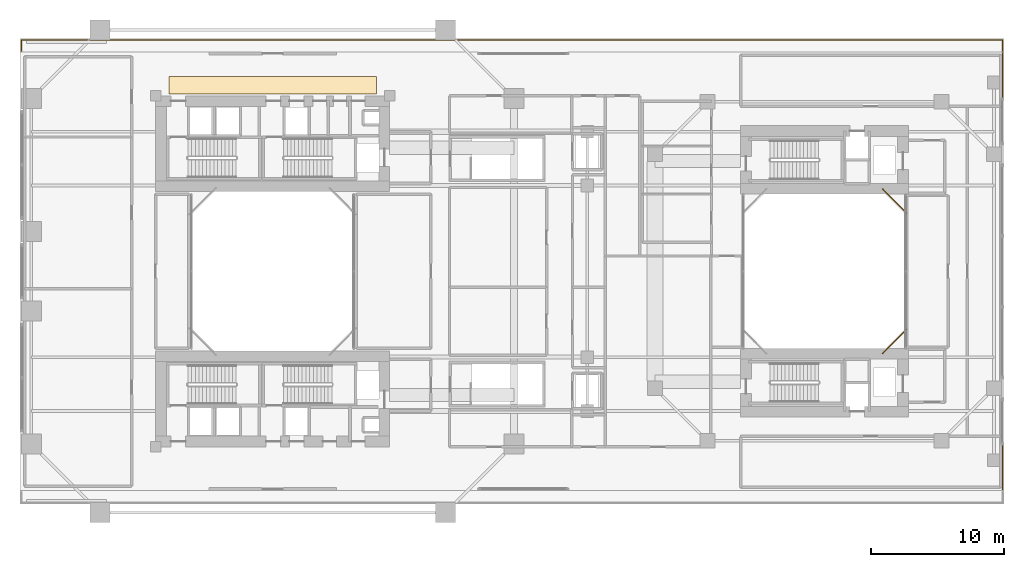
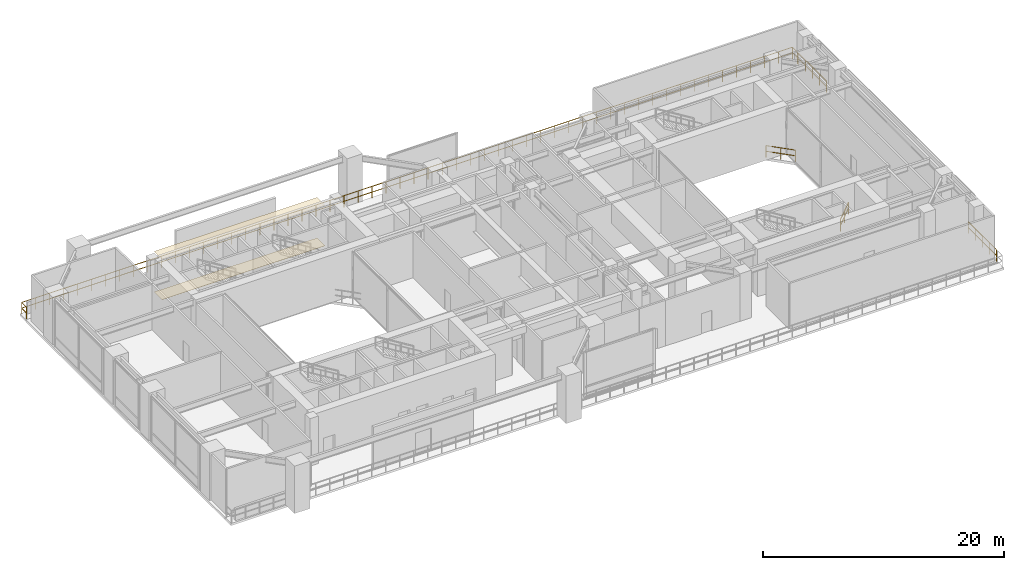
# One storey, part 19 of 19: 5 railings, 2 coverings.
"""IFC4 building model written with IfcOpenShell, lengths in metres."""

from ifc_helpers import new_model, si_unit, direction, frame, origin, origin_2d, place, context, subcontext, project, spatial, polyline, rectangle, outline, extrude, material, layer, layer_set, type_object, element, save


model = new_model("IFC4")

# Units and contexts
model_context = context("Model", 3, precision=1e-05, world=origin(), true_north=direction((0.0, 1.0)))
body_context = subcontext(model_context, "Body", "Model", "MODEL_VIEW")
ifc_project = project(units=[si_unit("LENGTHUNIT", "METRE"), si_unit("AREAUNIT", "SQUARE_METRE"), si_unit("VOLUMEUNIT", "CUBIC_METRE"), si_unit("PLANEANGLEUNIT", "RADIAN"), si_unit("MASSUNIT", "GRAM", prefix="KILO"), si_unit("THERMODYNAMICTEMPERATUREUNIT", "KELVIN"), si_unit("POWERUNIT", "WATT")], contexts=[model_context])

# Site, building, storey
site_placement = place(None, origin())
site = spatial("IfcSite", under=ifc_project, at=site_placement, CompositionType="ELEMENT")
building_placement = place(site_placement, origin())
building = spatial("IfcBuilding", under=site, at=building_placement, Name="Qiaomeng Ring Towers", CompositionType="ELEMENT")
storey_placement = place(building_placement, frame((0.0, 0.0, 18.199951171875)))
storey = spatial("IfcBuildingStorey", under=building, at=storey_placement, Name="L04", CompositionType="ELEMENT", Elevation=18.199951171875)

# Coverings
ifc_material_1 = material(Name="Mineral fibre acoustic ceiling tile", Category="gypsum")
ifc_layer_1 = layer(ifc_material_1, 0.02490234375, Name="Mineral fibre acoustic ceiling tile")
ifc_layer_set_1 = layer_set([ifc_layer_1], Name="Mineral fibre acoustic ceiling tile")
covering_type_1 = type_object("IfcCoveringType", Name="ARC-COV-CEIL1", PredefinedType="CEILING", material=ifc_layer_set_1)
covering_1_placement = place(storey_placement, frame((0.0, 0.0, 4.10009765625)))
element("IfcCovering", 1, at=covering_1_placement, inside=storey, type_object=covering_type_1, Name="L04 Corridor Acoustic Ceiling", PredefinedType="CEILING", context=body_context, shape_type="SweptSolid", body=[
    extrude(outline(polyline([(11.199951171875, 36.35009765625), (11.199951171875, 37.64990234375), (26.800048828125, 37.64990234375), (26.800048828125, 36.35009765625), (11.199951171875, 36.35009765625)])), origin(), (0.0, 0.0, 1.0), 0.02490234375),
])
ifc_material_2 = material(Name="Honed granite stone flooring", Category="masonry")
ifc_layer_2 = layer(ifc_material_2, 0.02392578125, Name="Honed granite stone flooring")
ifc_layer_set_2 = layer_set([ifc_layer_2], Name="Honed granite stone flooring")
covering_type_2 = type_object("IfcCoveringType", Name="ARC-COV-FLR2", PredefinedType="FLOORING", material=ifc_layer_set_2)
covering_2_placement = place(storey_placement, origin())
element("IfcCovering", 2, at=covering_2_placement, inside=storey, type_object=covering_type_2, Name="L04 Corridor Stone Flooring", PredefinedType="FLOORING", context=body_context, shape_type="SweptSolid", body=[
    extrude(outline(polyline([(11.199951171875, 36.35009765625), (11.199951171875, 37.64990234375), (26.800048828125, 37.64990234375), (26.800048828125, 36.35009765625), (11.199951171875, 36.35009765625)])), origin(), (0.0, 0.0, 1.0), 0.02001953125),
])

# Railings
ifc_material_3 = material(Name="Low-E pale-green laminated safety glass", Category="glass")
railing_type = type_object("IfcRailingType", Name="ARC-RL-BAL1", PredefinedType="BALUSTRADE", material=ifc_material_3)
railing_1_placement = place(storey_placement, frame((0.10009765625, 39.580078125, 0.0)))
element("IfcRailing", 3, at=railing_1_placement, inside=storey, type_object=railing_type, Name="L04 Balustrade ARC-BAL-L04-POD-N", PredefinedType="BALUSTRADE", context=body_context, shape_type="SweptSolid", body=[
    extrude(rectangle(XDim=0.048095703125, YDim=0.048095703125, at=origin_2d()), frame((0.0, 0.0, 1.17578125), z_axis=(0.0, 1.0, 0.0), x_axis=(-1.0, 0.0, 0.0)), (0.0, 0.0, 1.0), 0.81982421875),
    extrude(rectangle(XDim=0.048095703125, YDim=0.048095703125, at=origin_2d()), frame((0.0, 0.0, 0.60009765625), z_axis=(0.0, 1.0, 0.0), x_axis=(-1.0, 0.0, 0.0)), (0.0, 0.0, 1.0), 0.81982421875),
    extrude(rectangle(XDim=0.048095703125, YDim=0.048095703125, at=origin_2d()), frame((0.0, 0.81982421875, 1.17578125), z_axis=(1.0, 0.0, 0.0), x_axis=(0.0, 1.0, 0.0)), (0.0, 0.0, 1.0), 73.7998046875),
    extrude(rectangle(XDim=0.048095703125, YDim=0.048095703125, at=origin_2d()), frame((0.0, 0.81982421875, 0.60009765625), z_axis=(1.0, 0.0, 0.0), x_axis=(0.0, 1.0, 0.0)), (0.0, 0.0, 1.0), 73.7998046875),
    extrude(rectangle(XDim=0.048095703125, YDim=0.048095703125, at=origin_2d()), frame((73.7998046875, 0.81982421875, 1.17578125), z_axis=(0.0, -1.0, 0.0), x_axis=(1.0, 0.0, 0.0)), (0.0, 0.0, 1.0), 0.81982421875),
    extrude(rectangle(XDim=0.048095703125, YDim=0.048095703125, at=origin_2d()), frame((73.7998046875, 0.81982421875, 0.60009765625), z_axis=(0.0, -1.0, 0.0), x_axis=(1.0, 0.0, 0.0)), (0.0, 0.0, 1.0), 0.81982421875),
    extrude(rectangle(XDim=0.0419921875, YDim=0.0419921875, at=origin_2d()), origin(), (0.0, 0.0, 1.0), 1.15185546875),
    extrude(rectangle(XDim=0.0419921875, YDim=0.0419921875, at=origin_2d()), frame((0.0, 0.81982421875, 0.0)), (0.0, 0.0, 1.0), 1.15185546875),
    extrude(rectangle(XDim=0.0419921875, YDim=0.0419921875, at=origin_2d()), frame((1.341796875, 0.81982421875, 0.0)), (0.0, 0.0, 1.0), 1.15185546875),
    extrude(rectangle(XDim=0.0419921875, YDim=0.0419921875, at=origin_2d()), frame((2.68359375, 0.81982421875, 0.0)), (0.0, 0.0, 1.0), 1.15185546875),
    extrude(rectangle(XDim=0.0419921875, YDim=0.0419921875, at=origin_2d()), frame((4.025390625, 0.81982421875, 0.0)), (0.0, 0.0, 1.0), 1.15185546875),
    extrude(rectangle(XDim=0.0419921875, YDim=0.0419921875, at=origin_2d()), frame((5.3671875, 0.81982421875, 0.0)), (0.0, 0.0, 1.0), 1.15185546875),
    extrude(rectangle(XDim=0.0419921875, YDim=0.0419921875, at=origin_2d()), frame((6.708984375, 0.81982421875, 0.0)), (0.0, 0.0, 1.0), 1.15185546875),
    extrude(rectangle(XDim=0.0419921875, YDim=0.0419921875, at=origin_2d()), frame((8.05078125, 0.81982421875, 0.0)), (0.0, 0.0, 1.0), 1.15185546875),
    extrude(rectangle(XDim=0.0419921875, YDim=0.0419921875, at=origin_2d()), frame((9.392822265625, 0.81982421875, 0.0)), (0.0, 0.0, 1.0), 1.15185546875),
    extrude(rectangle(XDim=0.0419921875, YDim=0.0419921875, at=origin_2d()), frame((10.734619140625, 0.81982421875, 0.0)), (0.0, 0.0, 1.0), 1.15185546875),
    extrude(rectangle(XDim=0.0419921875, YDim=0.0419921875, at=origin_2d()), frame((12.076416015625, 0.81982421875, 0.0)), (0.0, 0.0, 1.0), 1.15185546875),
    extrude(rectangle(XDim=0.0419921875, YDim=0.0419921875, at=origin_2d()), frame((13.418212890625, 0.81982421875, 0.0)), (0.0, 0.0, 1.0), 1.15185546875),
    extrude(rectangle(XDim=0.0419921875, YDim=0.0419921875, at=origin_2d()), frame((14.760009765625, 0.81982421875, 0.0)), (0.0, 0.0, 1.0), 1.15185546875),
    extrude(rectangle(XDim=0.0419921875, YDim=0.0419921875, at=origin_2d()), frame((16.101806640625, 0.81982421875, 0.0)), (0.0, 0.0, 1.0), 1.15185546875),
    extrude(rectangle(XDim=0.0419921875, YDim=0.0419921875, at=origin_2d()), frame((17.443603515625, 0.81982421875, 0.0)), (0.0, 0.0, 1.0), 1.15185546875),
    extrude(rectangle(XDim=0.0419921875, YDim=0.0419921875, at=origin_2d()), frame((18.785400390625, 0.81982421875, 0.0)), (0.0, 0.0, 1.0), 1.15185546875),
    extrude(rectangle(XDim=0.0419921875, YDim=0.0419921875, at=origin_2d()), frame((20.127197265625, 0.81982421875, 0.0)), (0.0, 0.0, 1.0), 1.15185546875),
    extrude(rectangle(XDim=0.0419921875, YDim=0.0419921875, at=origin_2d()), frame((21.468994140625, 0.81982421875, 0.0)), (0.0, 0.0, 1.0), 1.15185546875),
    extrude(rectangle(XDim=0.0419921875, YDim=0.0419921875, at=origin_2d()), frame((22.810791015625, 0.81982421875, 0.0)), (0.0, 0.0, 1.0), 1.15185546875),
    extrude(rectangle(XDim=0.0419921875, YDim=0.0419921875, at=origin_2d()), frame((24.152587890625, 0.81982421875, 0.0)), (0.0, 0.0, 1.0), 1.15185546875),
    extrude(rectangle(XDim=0.0419921875, YDim=0.0419921875, at=origin_2d()), frame((25.494384765625, 0.81982421875, 0.0)), (0.0, 0.0, 1.0), 1.15185546875),
    extrude(rectangle(XDim=0.0419921875, YDim=0.0419921875, at=origin_2d()), frame((26.836181640625, 0.81982421875, 0.0)), (0.0, 0.0, 1.0), 1.15185546875),
    extrude(rectangle(XDim=0.0419921875, YDim=0.0419921875, at=origin_2d()), frame((28.17822265625, 0.81982421875, 0.0)), (0.0, 0.0, 1.0), 1.15185546875),
    extrude(rectangle(XDim=0.0419921875, YDim=0.0419921875, at=origin_2d()), frame((29.52001953125, 0.81982421875, 0.0)), (0.0, 0.0, 1.0), 1.15185546875),
    extrude(rectangle(XDim=0.0419921875, YDim=0.0419921875, at=origin_2d()), frame((30.86181640625, 0.81982421875, 0.0)), (0.0, 0.0, 1.0), 1.15185546875),
    extrude(rectangle(XDim=0.0419921875, YDim=0.0419921875, at=origin_2d()), frame((32.20361328125, 0.81982421875, 0.0)), (0.0, 0.0, 1.0), 1.15185546875),
    extrude(rectangle(XDim=0.0419921875, YDim=0.0419921875, at=origin_2d()), frame((33.54541015625, 0.81982421875, 0.0)), (0.0, 0.0, 1.0), 1.15185546875),
    extrude(rectangle(XDim=0.0419921875, YDim=0.0419921875, at=origin_2d()), frame((34.88720703125, 0.81982421875, 0.0)), (0.0, 0.0, 1.0), 1.15185546875),
    extrude(rectangle(XDim=0.0419921875, YDim=0.0419921875, at=origin_2d()), frame((36.22900390625, 0.81982421875, 0.0)), (0.0, 0.0, 1.0), 1.15185546875),
    extrude(rectangle(XDim=0.0419921875, YDim=0.0419921875, at=origin_2d()), frame((37.57080078125, 0.81982421875, 0.0)), (0.0, 0.0, 1.0), 1.15185546875),
    extrude(rectangle(XDim=0.0419921875, YDim=0.0419921875, at=origin_2d()), frame((38.91259765625, 0.81982421875, 0.0)), (0.0, 0.0, 1.0), 1.15185546875),
    extrude(rectangle(XDim=0.0419921875, YDim=0.0419921875, at=origin_2d()), frame((40.25439453125, 0.81982421875, 0.0)), (0.0, 0.0, 1.0), 1.15185546875),
    extrude(rectangle(XDim=0.0419921875, YDim=0.0419921875, at=origin_2d()), frame((41.59619140625, 0.81982421875, 0.0)), (0.0, 0.0, 1.0), 1.15185546875),
    extrude(rectangle(XDim=0.0419921875, YDim=0.0419921875, at=origin_2d()), frame((42.93798828125, 0.81982421875, 0.0)), (0.0, 0.0, 1.0), 1.15185546875),
    extrude(rectangle(XDim=0.0419921875, YDim=0.0419921875, at=origin_2d()), frame((44.27978515625, 0.81982421875, 0.0)), (0.0, 0.0, 1.0), 1.15185546875),
    extrude(rectangle(XDim=0.0419921875, YDim=0.0419921875, at=origin_2d()), frame((45.62158203125, 0.81982421875, 0.0)), (0.0, 0.0, 1.0), 1.15185546875),
    extrude(rectangle(XDim=0.0419921875, YDim=0.0419921875, at=origin_2d()), frame((46.963623046875, 0.81982421875, 0.0)), (0.0, 0.0, 1.0), 1.15185546875),
    extrude(rectangle(XDim=0.0419921875, YDim=0.0419921875, at=origin_2d()), frame((48.305419921875, 0.81982421875, 0.0)), (0.0, 0.0, 1.0), 1.15185546875),
    extrude(rectangle(XDim=0.0419921875, YDim=0.0419921875, at=origin_2d()), frame((49.647216796875, 0.81982421875, 0.0)), (0.0, 0.0, 1.0), 1.15185546875),
    extrude(rectangle(XDim=0.0419921875, YDim=0.0419921875, at=origin_2d()), frame((50.989013671875, 0.81982421875, 0.0)), (0.0, 0.0, 1.0), 1.15185546875),
    extrude(rectangle(XDim=0.0419921875, YDim=0.0419921875, at=origin_2d()), frame((52.330810546875, 0.81982421875, 0.0)), (0.0, 0.0, 1.0), 1.15185546875),
    extrude(rectangle(XDim=0.0419921875, YDim=0.0419921875, at=origin_2d()), frame((53.672607421875, 0.81982421875, 0.0)), (0.0, 0.0, 1.0), 1.15185546875),
    extrude(rectangle(XDim=0.0419921875, YDim=0.0419921875, at=origin_2d()), frame((55.014404296875, 0.81982421875, 0.0)), (0.0, 0.0, 1.0), 1.15185546875),
    extrude(rectangle(XDim=0.0419921875, YDim=0.0419921875, at=origin_2d()), frame((56.356201171875, 0.81982421875, 0.0)), (0.0, 0.0, 1.0), 1.15185546875),
    extrude(rectangle(XDim=0.0419921875, YDim=0.0419921875, at=origin_2d()), frame((57.697998046875, 0.81982421875, 0.0)), (0.0, 0.0, 1.0), 1.15185546875),
    extrude(rectangle(XDim=0.0419921875, YDim=0.0419921875, at=origin_2d()), frame((59.039794921875, 0.81982421875, 0.0)), (0.0, 0.0, 1.0), 1.15185546875),
    extrude(rectangle(XDim=0.0419921875, YDim=0.0419921875, at=origin_2d()), frame((60.381591796875, 0.81982421875, 0.0)), (0.0, 0.0, 1.0), 1.15185546875),
    extrude(rectangle(XDim=0.0419921875, YDim=0.0419921875, at=origin_2d()), frame((61.723388671875, 0.81982421875, 0.0)), (0.0, 0.0, 1.0), 1.15185546875),
    extrude(rectangle(XDim=0.0419921875, YDim=0.0419921875, at=origin_2d()), frame((63.065185546875, 0.81982421875, 0.0)), (0.0, 0.0, 1.0), 1.15185546875),
    extrude(rectangle(XDim=0.0419921875, YDim=0.0419921875, at=origin_2d()), frame((64.406982421875, 0.81982421875, 0.0)), (0.0, 0.0, 1.0), 1.15185546875),
    extrude(rectangle(XDim=0.0419921875, YDim=0.0419921875, at=origin_2d()), frame((65.7490234375, 0.81982421875, 0.0)), (0.0, 0.0, 1.0), 1.15185546875),
    extrude(rectangle(XDim=0.0419921875, YDim=0.0419921875, at=origin_2d()), frame((67.0908203125, 0.81982421875, 0.0)), (0.0, 0.0, 1.0), 1.15185546875),
    extrude(rectangle(XDim=0.0419921875, YDim=0.0419921875, at=origin_2d()), frame((68.4326171875, 0.81982421875, 0.0)), (0.0, 0.0, 1.0), 1.15185546875),
    extrude(rectangle(XDim=0.0419921875, YDim=0.0419921875, at=origin_2d()), frame((69.7744140625, 0.81982421875, 0.0)), (0.0, 0.0, 1.0), 1.15185546875),
    extrude(rectangle(XDim=0.0419921875, YDim=0.0419921875, at=origin_2d()), frame((71.1162109375, 0.81982421875, 0.0)), (0.0, 0.0, 1.0), 1.15185546875),
    extrude(rectangle(XDim=0.0419921875, YDim=0.0419921875, at=origin_2d()), frame((72.4580078125, 0.81982421875, 0.0)), (0.0, 0.0, 1.0), 1.15185546875),
    extrude(rectangle(XDim=0.0419921875, YDim=0.0419921875, at=origin_2d()), frame((73.7998046875, 0.81982421875, 0.0)), (0.0, 0.0, 1.0), 1.15185546875),
    extrude(rectangle(XDim=0.0419921875, YDim=0.0419921875, at=origin_2d()), frame((73.7998046875, 0.0, 0.0)), (0.0, 0.0, 1.0), 1.15185546875),
])
for number, where, name in (
    (4, (73.89990234375, 6.580078125, 0.0), "L04 Balustrade ARC-BAL-L04-POD-ES"),
    (5, (73.89990234375, 34.75, 0.0), "L04 Balustrade ARC-BAL-L04-POD-EN"),
):
    element("IfcRailing", number, at=place(storey_placement, frame(where)), inside=storey, type_object=railing_type, Name=name, PredefinedType="BALUSTRADE", context=body_context, shape_type="SweptSolid", body=[
        extrude(rectangle(XDim=0.048095703125, YDim=0.048095703125, at=origin_2d()), frame((0.0, 0.0, 1.17578125), z_axis=(0.0, 1.0, 0.0), x_axis=(-1.0, 0.0, 0.0)), (0.0, 0.0, 1.0), 4.669921875),
        extrude(rectangle(XDim=0.048095703125, YDim=0.048095703125, at=origin_2d()), frame((0.0, 0.0, 0.60009765625), z_axis=(0.0, 1.0, 0.0), x_axis=(-1.0, 0.0, 0.0)), (0.0, 0.0, 1.0), 4.669921875),
        extrude(rectangle(XDim=0.0419921875, YDim=0.0419921875, at=origin_2d()), origin(), (0.0, 0.0, 1.0), 1.15185546875),
        extrude(rectangle(XDim=0.0419921875, YDim=0.0419921875, at=origin_2d()), frame((0.0, 1.16748046875, 0.0)), (0.0, 0.0, 1.0), 1.15185546875),
        extrude(rectangle(XDim=0.0419921875, YDim=0.0419921875, at=origin_2d()), frame((0.0, 2.3349609375, 0.0)), (0.0, 0.0, 1.0), 1.15185546875),
        extrude(rectangle(XDim=0.0419921875, YDim=0.0419921875, at=origin_2d()), frame((0.0, 3.50244140625, 0.0)), (0.0, 0.0, 1.0), 1.15185546875),
        extrude(rectangle(XDim=0.0419921875, YDim=0.0419921875, at=origin_2d()), frame((0.0, 4.669921875, 0.0)), (0.0, 0.0, 1.0), 1.15185546875),
    ])
railing_2_placement = place(storey_placement, frame((64.8798828125, 16.820068359375, 0.0)))
element("IfcRailing", 6, at=railing_2_placement, inside=storey, type_object=railing_type, Name="L04 Balustrade ARC-BAL-WELL2-L04-1", PredefinedType="BALUSTRADE", context=body_context, shape_type="SweptSolid", body=[
    extrude(rectangle(XDim=0.048095703125, YDim=0.048095703125, at=origin_2d()), frame((0.0, 0.0, 1.17578125), z_axis=(0.707106781187, 0.707106781187, 0.0), x_axis=(-0.707106781187, 0.707106781187, 0.0)), (0.0, 0.0, 1.0), 2.545654296875),
    extrude(rectangle(XDim=0.048095703125, YDim=0.048095703125, at=origin_2d()), frame((0.0, 0.0, 0.60009765625), z_axis=(0.707106781187, 0.707106781187, 0.0), x_axis=(-0.707106781187, 0.707106781187, 0.0)), (0.0, 0.0, 1.0), 2.545654296875),
    extrude(rectangle(XDim=0.0419921875, YDim=0.0419921875, at=origin_2d()), origin(), (0.0, 0.0, 1.0), 1.15185546875),
    extrude(rectangle(XDim=0.0419921875, YDim=0.0419921875, at=origin_2d()), frame((0.89990234375, 0.89990234375, 0.0)), (0.0, 0.0, 1.0), 1.15185546875),
    extrude(rectangle(XDim=0.0419921875, YDim=0.0419921875, at=origin_2d()), frame((1.800048828125, 1.800048828125, 0.0)), (0.0, 0.0, 1.0), 1.15185546875),
])
railing_3_placement = place(storey_placement, frame((66.679931640625, 27.3798828125, 0.0)))
element("IfcRailing", 7, at=railing_3_placement, inside=storey, type_object=railing_type, Name="L04 Balustrade ARC-BAL-WELL2-L04-2", PredefinedType="BALUSTRADE", context=body_context, shape_type="SweptSolid", body=[
    extrude(rectangle(XDim=0.048095703125, YDim=0.048095703125, at=origin_2d()), frame((0.0, 0.0, 1.17578125), z_axis=(-0.707106781187, 0.707106781187, 0.0), x_axis=(-0.707106781187, -0.707106781187, 0.0)), (0.0, 0.0, 1.0), 2.545654296875),
    extrude(rectangle(XDim=0.048095703125, YDim=0.048095703125, at=origin_2d()), frame((0.0, 0.0, 0.60009765625), z_axis=(-0.707106781187, 0.707106781187, 0.0), x_axis=(-0.707106781187, -0.707106781187, 0.0)), (0.0, 0.0, 1.0), 2.545654296875),
    extrude(rectangle(XDim=0.0419921875, YDim=0.0419921875, at=origin_2d()), origin(), (0.0, 0.0, 1.0), 1.15185546875),
    extrude(rectangle(XDim=0.0419921875, YDim=0.0419921875, at=origin_2d()), frame((-0.89990234375, 0.89990234375, 0.0)), (0.0, 0.0, 1.0), 1.15185546875),
    extrude(rectangle(XDim=0.0419921875, YDim=0.0419921875, at=origin_2d()), frame((-1.800048828125, 1.800048828125, 0.0)), (0.0, 0.0, 1.0), 1.15185546875),
])

save(model, "model.ifc")
